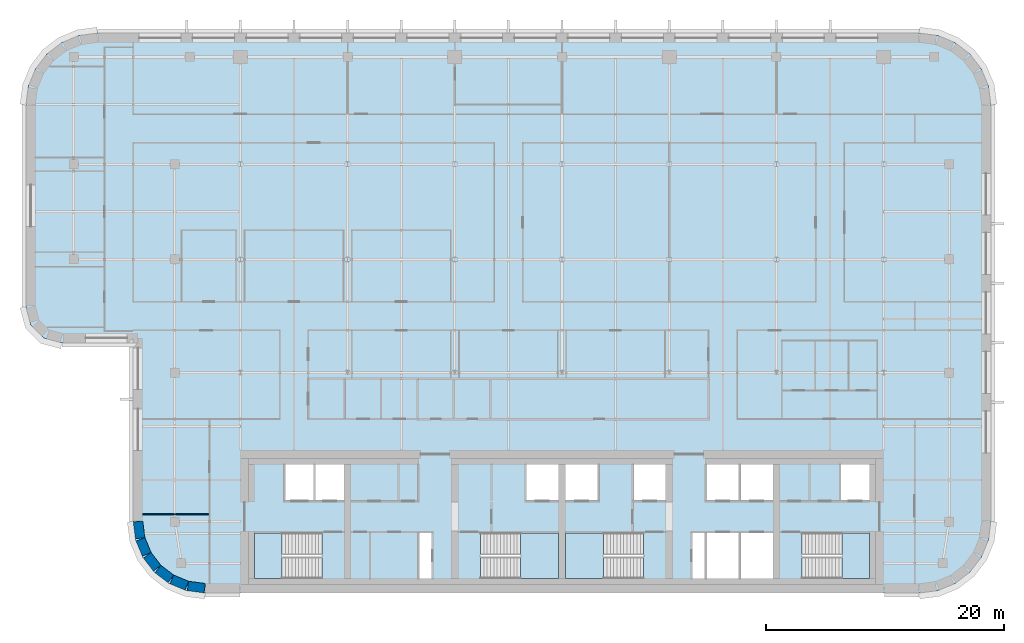
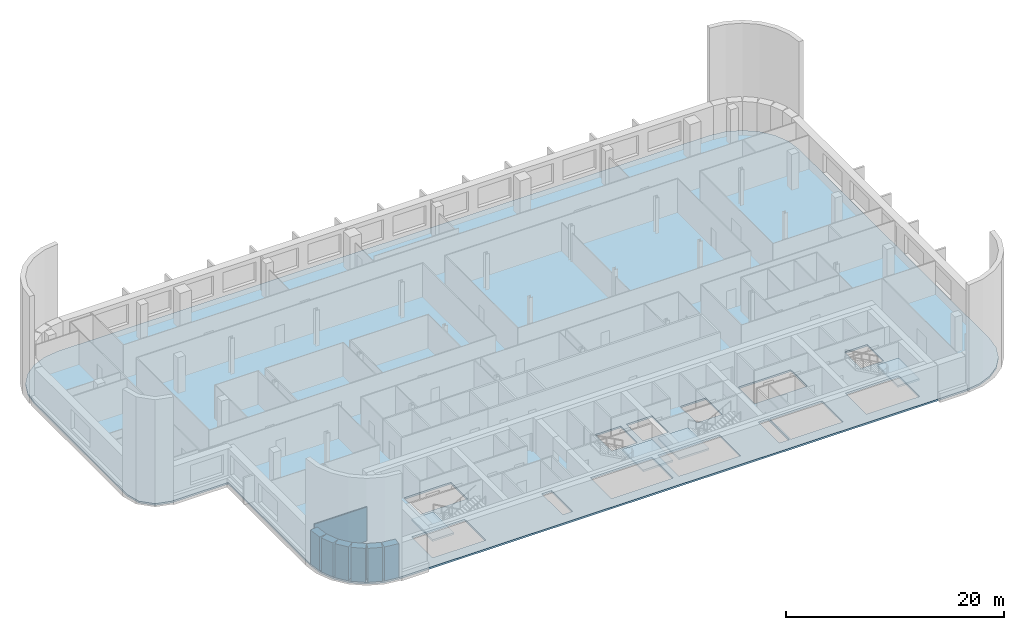
# One storey, part 6 of 17: 7 walls, 5 slabs, 4 elements without a shape of their own.
"""IFC4 building model written with IfcOpenShell, lengths in metres."""

import ifcopenshell
import ifcopenshell.guid

model = None  # the IFC model being written
_history = None  # IfcOwnerHistory: only IFC2X3 demands one
_inside = {}  # id of a spatial element -> (the spatial element, [elements in it])
_under = {}  # id of a project, library or spatial element -> (it, [spatial elements below it])
_declared = {}  # id of a project -> (the project, [libraries it declares])
_typed = {}  # id of a type object -> (the type object, [elements of that type])
_made_of = {}  # id of a material, layer set ... -> (it, [elements and type objects made of it])


def new_model(schema):
    """Start an empty IFC model of exactly this schema.

    Asked for "IFC4X3", IfcOpenShell would pick the latest addendum, in which some entities
    have other attributes; the version numbers below select the first issue.
    IFC2X3 requires an IfcOwnerHistory on every rooted entity: one is made here for all.
    """
    global model, _history
    if schema == "IFC4X3":
        model = ifcopenshell.file(schema_version=(4, 3, 0, 0))
    else:
        model = ifcopenshell.file(schema=schema)
    _inside.clear()
    _under.clear()
    _declared.clear()
    _typed.clear()
    _made_of.clear()
    _history = None
    if model.schema == "IFC2X3":
        org = make("IfcOrganization", Name="unknown")
        user = make(
            "IfcPersonAndOrganization",
            ThePerson=make("IfcPerson", FamilyName="unknown"),
            TheOrganization=org,
        )
        app = make(
            "IfcApplication",
            ApplicationDeveloper=org,
            Version="unknown",
            ApplicationFullName="unknown",
            ApplicationIdentifier="unknown",
        )
        _history = make(
            "IfcOwnerHistory",
            OwningUser=user,
            OwningApplication=app,
            ChangeAction="ADDED",
            CreationDate=0,
        )
    return model


def make(cls, **values):
    """One entity of the class cls with the attributes given. An attribute that is None is left unset."""
    return model.create_entity(
        cls, **{name: value for name, value in values.items() if value is not None}
    )


def rooted(cls, **values):
    """An entity with a GlobalId (a new one), such as an element, a storey or a relation."""
    return make(cls, GlobalId=ifcopenshell.guid.new(), OwnerHistory=_history, **values)


def si_unit(unit_type, name, prefix=None):
    """IfcSIUnit, for example si_unit("LENGTHUNIT", "METRE", prefix="MILLI")."""
    return make("IfcSIUnit", UnitType=unit_type, Prefix=prefix, Name=name)


def assignment(units):
    """IfcUnitAssignment: the units of a project."""
    return None if units is None else make("IfcUnitAssignment", Units=units)


def point(xyz):
    """IfcCartesianPoint."""
    return None if xyz is None else make("IfcCartesianPoint", Coordinates=xyz)


def direction(xyz):
    """IfcDirection."""
    return None if xyz is None else make("IfcDirection", DirectionRatios=xyz)


def frame(location, z_axis=None, x_axis=None):
    """IfcAxis2Placement3D, a coordinate frame: its origin and axes. An axis left out is left unset."""
    return make(
        "IfcAxis2Placement3D",
        Location=point(location),
        Axis=direction(z_axis),
        RefDirection=direction(x_axis),
    )


def frame_2d(location, x_axis=None):
    """IfcAxis2Placement2D, a coordinate frame in the plane: its origin and x axis."""
    return make(
        "IfcAxis2Placement2D", Location=point(location), RefDirection=direction(x_axis)
    )


def origin():
    """The frame at (0, 0, 0) with its axes left unset."""
    return frame((0.0, 0.0, 0.0))


def place(relative_to, where):
    """IfcLocalPlacement: puts the frame where relative to a parent placement (None: the world)."""
    return make(
        "IfcLocalPlacement", PlacementRelTo=relative_to, RelativePlacement=where
    )


def context(
    kind, dimensions, precision=None, world=None, true_north=None, identifier=None
):
    """IfcGeometricRepresentationContext, for example the 3D "Model" context."""
    return make(
        "IfcGeometricRepresentationContext",
        ContextIdentifier=identifier,
        ContextType=kind,
        CoordinateSpaceDimension=dimensions,
        Precision=precision,
        WorldCoordinateSystem=world,
        TrueNorth=true_north,
    )


def subcontext(parent, identifier, kind, view, scale=None):
    """IfcGeometricRepresentationSubContext, for example "Body" below "Model"."""
    return make(
        "IfcGeometricRepresentationSubContext",
        ContextIdentifier=identifier,
        ContextType=kind,
        ParentContext=parent,
        TargetScale=scale,
        TargetView=view,
    )


def project(units=None, contexts=None):
    """IfcProject with its units and contexts."""
    return rooted(
        "IfcProject",
        Name="project",
        RepresentationContexts=contexts,
        UnitsInContext=assignment(units),
    )


def spatial(cls, under=None, at=None, **own):
    """A site, building, storey or space (cls), placed at a placement, below another one or the project."""
    s = rooted(cls, ObjectPlacement=at, **own)
    if under is not None:
        _under.setdefault(under.id(), (under, []))[1].append(s)
    return s


def polyline(points):
    """IfcPolyline through the points."""
    return make("IfcPolyline", Points=[point(p) for p in points])


def profile(cls, at=None, kind="AREA", **sizes):
    """A parametric profile (cls). Its sizes go by their IFC names, for example OverallWidth=200.0."""
    return make(cls, ProfileType=kind, Position=at, **sizes)


def rectangle(**sizes):
    """IfcRectangleProfileDef."""
    return profile("IfcRectangleProfileDef", **sizes)


def outline(outer, holes=None, kind="AREA"):
    """IfcArbitraryClosedProfileDef: a profile drawn as a closed curve; with holes, ...WithVoids."""
    if holes is None:
        return make("IfcArbitraryClosedProfileDef", ProfileType=kind, OuterCurve=outer)
    return make(
        "IfcArbitraryProfileDefWithVoids",
        ProfileType=kind,
        OuterCurve=outer,
        InnerCurves=holes,
    )


def extrude(swept, where, along, depth):
    """IfcExtrudedAreaSolid: the profile swept, set in the frame where, extruded along a direction by depth."""
    return make(
        "IfcExtrudedAreaSolid",
        SweptArea=swept,
        Position=where,
        ExtrudedDirection=direction(along),
        Depth=depth,
    )


def shape(context_of_items, identifier, shape_type, items):
    """IfcShapeRepresentation: the items that make up one representation, for example the "Body"."""
    return make(
        "IfcShapeRepresentation",
        ContextOfItems=context_of_items,
        RepresentationIdentifier=identifier,
        RepresentationType=shape_type,
        Items=items,
    )


def material(Name=None, Category=None):
    """IfcMaterial."""
    return make("IfcMaterial", Name=Name, Category=Category)


def layer(
    of_material, thickness, ventilated=None, Name=None, Category=None, Priority=None
):
    """IfcMaterialLayer: one layer of a wall or slab, of a material (None: an air gap)."""
    return make(
        "IfcMaterialLayer",
        Material=of_material,
        LayerThickness=thickness,
        IsVentilated=ventilated,
        Name=Name,
        Category=Category,
        Priority=Priority,
    )


def layer_set(layers, Name=None):
    """IfcMaterialLayerSet."""
    return make("IfcMaterialLayerSet", MaterialLayers=layers, LayerSetName=Name)


def made_of(thing, what):
    """Note that an element or type object is made of a material, layer set ...; save() writes the relation."""
    if what is not None:
        _made_of.setdefault(what.id(), (what, []))[1].append(thing)
    return thing


def type_object(cls, material=None, **own):
    """A type object (cls), such as IfcWallType, which elements share."""
    return made_of(rooted(cls, **own), material)


def element(
    cls,
    number,
    at=None,
    inside=None,
    cuts=None,
    type_object=None,
    material=None,
    context=None,
    identifier="Body",
    shape_type=None,
    held_by="IfcProductDefinitionShape",
    body=None,
    shapes=None,
    **own,
):
    """One element of the class cls, such as IfcWall. Its Tag is "e" and its number.

    at: its placement. inside: the storey or other place that contains it. cuts: it is an
    opening in that element (IfcRelVoidsElement). A single representation is given by context,
    identifier, shape_type and body (its items); several are given by shapes. held_by: the class
    of the entity that holds the representations. save() writes the other relations.
    """
    e = rooted(cls, Tag="e%d" % number, ObjectPlacement=at, **own)
    if body is not None:
        shapes = [shape(context, identifier, shape_type, body)]
    if shapes is not None:
        e.Representation = make(held_by, Representations=shapes)
    if inside is not None:
        _inside.setdefault(inside.id(), (inside, []))[1].append(e)
    if cuts is not None:
        rooted(
            "IfcRelVoidsElement", RelatingBuildingElement=cuts, RelatedOpeningElement=e
        )
    if type_object is not None:
        _typed.setdefault(type_object.id(), (type_object, []))[1].append(e)
    return made_of(e, material)


def aggregate(whole, parts):
    """IfcRelAggregates: a whole, such as a stair, and the parts it consists of."""
    return rooted("IfcRelAggregates", RelatingObject=whole, RelatedObjects=parts)


def save(model, path):
    """Write the relations noted so far, then the file.

    IfcRelAggregates (storeys below a building ...), IfcRelContainedInSpatialStructure (elements
    in a storey), IfcRelDefinesByType, IfcRelAssociatesMaterial and IfcRelDeclares: one each for
    every whole, place, type object, material and project.
    """
    for whole, parts in _under.values():
        aggregate(whole, parts)
    for where, things in _inside.values():
        rooted(
            "IfcRelContainedInSpatialStructure",
            RelatedElements=things,
            RelatingStructure=where,
        )
    for kind, things in _typed.values():
        rooted("IfcRelDefinesByType", RelatedObjects=things, RelatingType=kind)
    for what, things in _made_of.values():
        rooted("IfcRelAssociatesMaterial", RelatedObjects=things, RelatingMaterial=what)
    for by, libraries in _declared.values():
        rooted("IfcRelDeclares", RelatingContext=by, RelatedDefinitions=libraries)
    model.write(path)


model = new_model("IFC4")

# Units and contexts
model_context = context("Model", 3, precision=1e-05, world=origin(), true_north=direction((0.0, 1.0)))
body_context = subcontext(model_context, "Body", "Model", "MODEL_VIEW")
ifc_project = project(units=[si_unit("LENGTHUNIT", "METRE"), si_unit("AREAUNIT", "SQUARE_METRE"), si_unit("VOLUMEUNIT", "CUBIC_METRE"), si_unit("PLANEANGLEUNIT", "RADIAN"), si_unit("MASSUNIT", "GRAM", prefix="KILO")], contexts=[model_context])

# Site, building, storey
site_placement = place(None, origin())
site = spatial("IfcSite", under=ifc_project, at=site_placement, CompositionType="ELEMENT")
building_placement = place(site_placement, origin())
building = spatial("IfcBuilding", under=site, at=building_placement, Name="Zellij Exchange Tower", CompositionType="ELEMENT")
storey_placement = place(building_placement, frame((0.0, 0.0, 232.5)))
storey = spatial("IfcBuildingStorey", under=building, at=storey_placement, Name="L54", CompositionType="ELEMENT", Elevation=232.5)

# Stair, slab
ifc_material_1 = material(Name="Concrete C40/50", Category="concrete")
stair_type = type_object("IfcStairType", Name="CORE-ST exit stair 1850 wide", PredefinedType="HALF_TURN_STAIR", material=ifc_material_1)
stair_1_placement = place(storey_placement, origin())
stair_1 = element("IfcStair", 1, at=stair_1_placement, inside=storey, type_object=stair_type, Name="L54 exit stair ST1", PredefinedType="HALF_TURN_STAIR")
ifc_layer_1 = layer(ifc_material_1, 0.199951171875)
ifc_layer_set_1 = layer_set([ifc_layer_1], Name="Concrete C40/50")
slab_type_1 = type_object("IfcSlabType", Name="CORE-SL stair landing 200", PredefinedType="LANDING", material=ifc_layer_set_1)
slab_1_placement = place(storey_placement, frame((0.0, 0.0, 1.800048828125)))
slab_1 = element("IfcSlab", 2, at=slab_1_placement, type_object=slab_type_1, Name="ST1 landing 1", PredefinedType="LANDING", context=body_context, shape_type="SweptSolid", body=[
    extrude(outline(polyline([(-23.510009765625, -8.949951171875), (-25.800048828125, -8.949951171875), (-25.800048828125, -12.800048828125), (-23.510009765625, -12.800048828125), (-23.510009765625, -8.949951171875)])), origin(), (0.0, 0.0, 1.0), 0.199951171875),
])
aggregate(stair_1, [slab_1])

stair_2_placement = place(storey_placement, origin())
stair_2 = element("IfcStair", 3, at=stair_2_placement, inside=storey, type_object=stair_type, Name="L54 exit stair ST2", PredefinedType="HALF_TURN_STAIR")
slab_2_placement = place(storey_placement, frame((0.0, 0.0, 1.800048828125)))
slab_2 = element("IfcSlab", 4, at=slab_2_placement, type_object=slab_type_1, Name="ST2 landing 1", PredefinedType="LANDING", context=body_context, shape_type="SweptSolid", body=[
    extrude(outline(polyline([(-3.489990234375, -12.800048828125), (-0.300048828125, -12.800048828125), (-0.300048828125, -8.949951171875), (-3.489990234375, -8.949951171875), (-3.489990234375, -12.800048828125)])), origin(), (0.0, 0.0, 1.0), 0.199951171875),
])
aggregate(stair_2, [slab_2])

stair_3_placement = place(storey_placement, origin())
stair_3 = element("IfcStair", 5, at=stair_3_placement, inside=storey, type_object=stair_type, Name="L54 exit stair ST3", PredefinedType="HALF_TURN_STAIR")
slab_3_placement = place(storey_placement, frame((0.0, 0.0, 1.800048828125)))
slab_3 = element("IfcSlab", 6, at=slab_3_placement, type_object=slab_type_1, Name="ST3 landing 1", PredefinedType="LANDING", context=body_context, shape_type="SweptSolid", body=[
    extrude(outline(polyline([(3.489990234375, -8.949951171875), (0.300048828125, -8.949951171875), (0.300048828125, -12.800048828125), (3.489990234375, -12.800048828125), (3.489990234375, -8.949951171875)])), origin(), (0.0, 0.0, 1.0), 0.199951171875),
])
aggregate(stair_3, [slab_3])

stair_4_placement = place(storey_placement, origin())
stair_4 = element("IfcStair", 7, at=stair_4_placement, inside=storey, type_object=stair_type, Name="L54 exit stair ST4", PredefinedType="HALF_TURN_STAIR")
slab_4_placement = place(storey_placement, frame((0.0, 0.0, 1.800048828125)))
slab_4 = element("IfcSlab", 8, at=slab_4_placement, type_object=slab_type_1, Name="ST4 landing 1", PredefinedType="LANDING", context=body_context, shape_type="SweptSolid", body=[
    extrude(outline(polyline([(23.510009765625, -12.800048828125), (25.800048828125, -12.800048828125), (25.800048828125, -8.949951171875), (23.510009765625, -8.949951171875), (23.510009765625, -12.800048828125)])), origin(), (0.0, 0.0, 1.0), 0.199951171875),
])
aggregate(stair_4, [slab_4])

# Slab
ifc_layer_2 = layer(ifc_material_1, 0.199951171875)
ifc_layer_set_2 = layer_set([ifc_layer_2], Name="Concrete C40/50")
slab_type_2 = type_object("IfcSlabType", Name="STR-FLOOR SLAB 200 C40/50", PredefinedType="FLOOR", material=ifc_layer_set_2)
slab_5_placement = place(storey_placement, frame((0.0, 0.0, -0.2001953125)))
element("IfcSlab", 9, at=slab_5_placement, inside=storey, type_object=slab_type_2, Name="Floor L54", PredefinedType="FLOOR", context=body_context, shape_type="SweptSolid", body=[
    extrude(outline(polyline([(31.552978515625, 32.795654296875), (33.0, 32.1962890625), (34.24267578125, 31.24267578125), (35.1962890625, 30.0), (35.795654296875, 28.552978515625), (36.0, 27.0), (36.0, -8.0), (35.795654296875, -9.552978515625), (35.1962890625, -11.0), (34.24267578125, -12.24267578125), (33.0, -13.1962890625), (31.552978515625, -13.795654296875), (30.0, -14.0), (-30.0, -14.0), (-31.552978515625, -13.795654296875), (-33.0, -13.1962890625), (-34.24267578125, -12.24267578125), (-35.1962890625, -11.0), (-35.795654296875, -9.552978515625), (-36.0, -8.0), (-36.0, 7.0), (-42.0, 7.0), (-43.5, 7.40185546875), (-44.59814453125, 8.5), (-45.0, 10.0), (-45.0, 27.0), (-44.795654296875, 28.552978515625), (-44.1962890625, 30.0), (-43.24267578125, 31.24267578125), (-42.0, 32.1962890625), (-40.552978515625, 32.795654296875), (-39.0, 33.0), (30.0, 33.0), (31.552978515625, 32.795654296875)]), holes=[polyline([(-25.800048828125, -8.949951171875), (-25.800048828125, -12.800048828125), (-20.153076171875, -12.800048828125), (-20.153076171875, -8.949951171875), (-25.800048828125, -8.949951171875)]), polyline([(-10.949951171875, -8.949951171875), (-12.0, -8.949951171875), (-12.0, -12.800048828125), (-10.949951171875, -12.800048828125), (-10.949951171875, -8.949951171875)]), polyline([(-0.300048828125, -8.949951171875), (-6.846923828125, -8.949951171875), (-6.846923828125, -12.800048828125), (-0.300048828125, -12.800048828125), (-0.300048828125, -8.949951171875)]), polyline([(0.300048828125, -8.949951171875), (0.300048828125, -12.800048828125), (6.846923828125, -12.800048828125), (6.846923828125, -8.949951171875), (0.300048828125, -8.949951171875)]), polyline([(-18.300048828125, -3.199951171875), (-23.25, -3.199951171875), (-23.25, -6.22509765625), (-18.300048828125, -6.22509765625), (-18.300048828125, -3.199951171875)]), polyline([(-0.300048828125, -3.199951171875), (-3.0, -3.199951171875), (-3.0, -6.22509765625), (-0.300048828125, -6.22509765625), (-0.300048828125, -3.199951171875)]), polyline([(0.300048828125, -3.199951171875), (0.300048828125, -6.22509765625), (3.0, -6.22509765625), (3.0, -3.199951171875), (0.300048828125, -3.199951171875)]), polyline([(12.0, -8.949951171875), (10.949951171875, -8.949951171875), (10.949951171875, -12.800048828125), (12.0, -12.800048828125), (12.0, -8.949951171875)]), polyline([(17.699951171875, -8.949951171875), (12.14990234375, -8.949951171875), (12.14990234375, -12.800048828125), (17.699951171875, -12.800048828125), (17.699951171875, -8.949951171875)]), polyline([(25.800048828125, -8.949951171875), (20.153076171875, -8.949951171875), (20.153076171875, -12.800048828125), (25.800048828125, -12.800048828125), (25.800048828125, -8.949951171875)]), polyline([(8.699951171875, -3.199951171875), (6.0, -3.199951171875), (6.0, -6.22509765625), (8.699951171875, -6.22509765625), (8.699951171875, -3.199951171875)]), polyline([(17.699951171875, -3.199951171875), (12.14990234375, -3.199951171875), (12.14990234375, -6.22509765625), (17.699951171875, -6.22509765625), (17.699951171875, -3.199951171875)]), polyline([(25.800048828125, -3.199951171875), (23.39990234375, -3.199951171875), (23.39990234375, -6.22509765625), (25.800048828125, -6.22509765625), (25.800048828125, -3.199951171875)])]), origin(), (0.0, 0.0, 1.0), 0.2001953125),
])

# Walls
ifc_material_2 = material(Name="Precast concrete C40/50", Category="concrete")
ifc_layer_3 = layer(ifc_material_2, 0.800048828125)
ifc_layer_set_3 = layer_set([ifc_layer_3], Name="Precast concrete C40/50")
wall_type_1 = type_object("IfcWallType", Name="ENV-EW1 Precast stone-piered wall 800", PredefinedType="SOLIDWALL", material=ifc_layer_set_3)
wall_1_placement = place(storey_placement, frame((-35.5966796875, -7.999755859375, 0.0), z_axis=(0.0, 0.0, 1.0), x_axis=(0.130517283865, -0.99144603414, 0.0)))
element("IfcWall", 10, at=wall_1_placement, inside=storey, type_object=wall_type_1, Name="fac.L54.27", PredefinedType="SOLIDWALL", context=body_context, shape_type="SweptSolid", body=[
    extrude(rectangle(XDim=1.408447265625, YDim=0.800048828125, at=frame_2d((0.7041015625, 0.0))), origin(), (0.0, 0.0, 1.0), 3.800048828125),
])
wall_2_placement = place(storey_placement, frame((-35.3857421875, -9.497314453125, 0.0), z_axis=(0.0, 0.0, 1.0), x_axis=(0.38276009378, -0.923847774587, 0.0)))
element("IfcWall", 11, at=wall_2_placement, inside=storey, type_object=wall_type_1, Name="fac.L54.28", PredefinedType="SOLIDWALL", context=body_context, shape_type="SweptSolid", body=[
    extrude(rectangle(XDim=1.35546875, YDim=0.800048828125, at=frame_2d((0.677734375, 0.0))), origin(), (0.0, 0.0, 1.0), 3.800048828125),
])
for number, where, z_axis, x_axis, name in (
    (12, (-34.814697265625, -10.840087890625, 0.0), (0.0, 0.0, 1.0), (0.608866226366, -0.793272915452, 0.0), "fac.L54.29"),
    (13, (-33.91552734375, -11.9892578125, 0.0), (0.0, 0.0, 1.0), (0.793272915452, -0.608866226366, 0.0), "fac.L54.30"),
):
    element("IfcWall", number, at=place(storey_placement, frame(where, z_axis=z_axis, x_axis=x_axis)), inside=storey, type_object=wall_type_1, Name=name, PredefinedType="SOLIDWALL", context=body_context, shape_type="SweptSolid", body=[
        extrude(rectangle(XDim=1.355712890625, YDim=0.800048828125, at=frame_2d((0.677734375, 0.0))), origin(), (0.0, 0.0, 1.0), 3.800048828125),
    ])
wall_3_placement = place(storey_placement, frame((-32.74951171875, -12.866943359375, 0.0), z_axis=(0.0, 0.0, 1.0), x_axis=(0.923847774587, -0.38276009378, 0.0)))
element("IfcWall", 14, at=wall_3_placement, inside=storey, type_object=wall_type_1, Name="fac.L54.31", PredefinedType="SOLIDWALL", context=body_context, shape_type="SweptSolid", body=[
    extrude(rectangle(XDim=1.35546875, YDim=0.800048828125, at=frame_2d((0.677734375, 0.0))), origin(), (0.0, 0.0, 1.0), 3.800048828125),
])
wall_4_placement = place(storey_placement, frame((-31.396240234375, -13.412841796875, 0.0), z_axis=(0.0, 0.0, 1.0), x_axis=(0.99144603414, -0.130517283865, 0.0)))
element("IfcWall", 15, at=wall_4_placement, inside=storey, type_object=wall_type_1, Name="fac.L54.32", PredefinedType="SOLIDWALL", context=body_context, shape_type="SweptSolid", body=[
    extrude(rectangle(XDim=1.408447265625, YDim=0.800048828125, at=frame_2d((0.7041015625, 0.0))), origin(), (0.0, 0.0, 1.0), 3.800048828125),
])
ifc_material_3 = material(Name="Gypsum board partition on steel studs", Category="steel")
ifc_layer_4 = layer(ifc_material_3, 0.10009765625)
ifc_layer_set_4 = layer_set([ifc_layer_4], Name="Gypsum board partition on steel studs")
wall_type_2 = type_object("IfcWallType", Name="FIT-PARTITION-100", PredefinedType="PARTITIONING", material=ifc_layer_set_4)
wall_5_placement = place(storey_placement, frame((-35.199951171875, -7.39990234375, 0.0), z_axis=(0.0, 0.0, 1.0), x_axis=(1.0, 0.0, 0.0)))
element("IfcWall", 16, at=wall_5_placement, inside=storey, type_object=wall_type_2, Name="FIT-PARTITION-100 003", PredefinedType="PARTITIONING", context=body_context, shape_type="SweptSolid", body=[
    extrude(rectangle(XDim=5.550048828125, YDim=0.10009765625, at=frame_2d((2.77490234375, 0.0))), origin(), (0.0, 0.0, 1.0), 3.800048828125),
])

save(model, "model.ifc")
